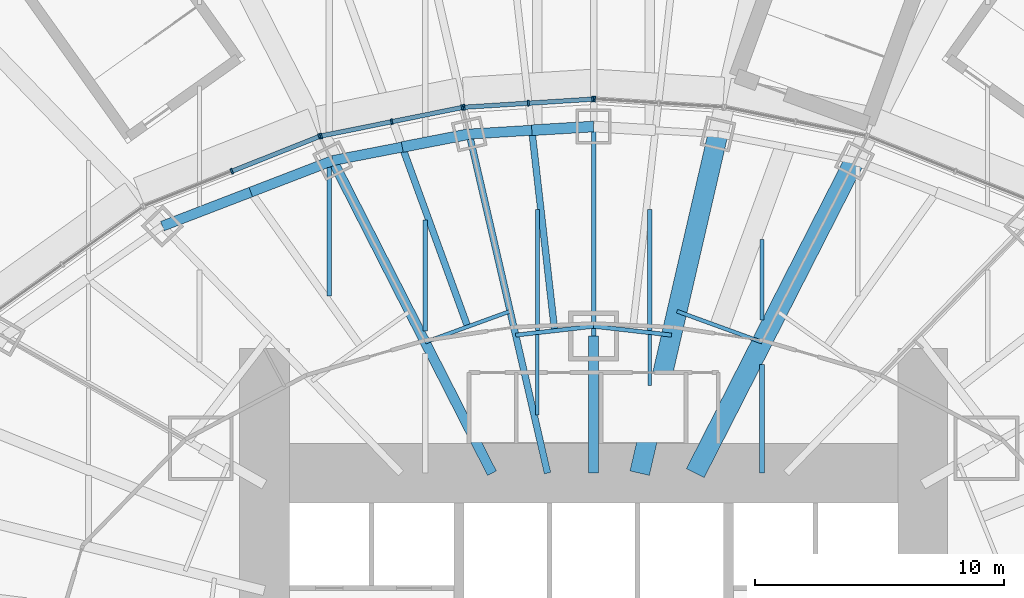
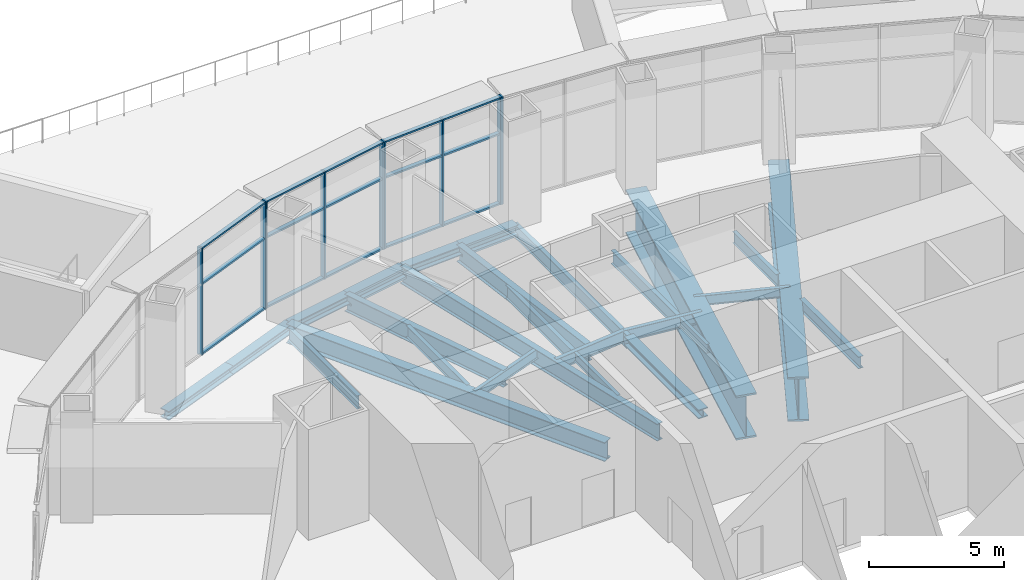
# One storey, part 7 of 25: 26 beams, 24 members, 4 elements without a shape of their own.
"""IFC4 building model written with IfcOpenShell, lengths in metres."""

from ifc_helpers import new_model, si_unit, direction, frame, origin, origin_2d, place, context, subcontext, project, spatial, rectangle, i_section, extrude, material, material_profile, profile_set, type_object, element, aggregate, save


model = new_model("IFC4")

# Units and contexts
model_context = context("Model", 3, precision=1e-05, world=origin(), true_north=direction((0.0, 1.0)))
body_context = subcontext(model_context, "Body", "Model", "MODEL_VIEW")
ifc_project = project(units=[si_unit("LENGTHUNIT", "METRE"), si_unit("AREAUNIT", "SQUARE_METRE"), si_unit("VOLUMEUNIT", "CUBIC_METRE"), si_unit("PLANEANGLEUNIT", "RADIAN"), si_unit("MASSUNIT", "GRAM", prefix="KILO")], contexts=[model_context])

# Site, building, storey
site_placement = place(None, origin())
site = spatial("IfcSite", under=ifc_project, at=site_placement, CompositionType="ELEMENT")
building_placement = place(site_placement, origin())
building = spatial("IfcBuilding", under=site, at=building_placement, Name="Lantaw Convention Tower", CompositionType="ELEMENT")
storey_placement = place(building_placement, frame((0.0, 0.0, 32.0)))
storey = spatial("IfcBuildingStorey", under=building, at=storey_placement, Name="L05", CompositionType="ELEMENT", Elevation=32.0)

# Beams
ifc_material_1 = material(Name="Steel ASTM A992", Category="steel")
ifc_material_profile_1 = material_profile(ifc_material_1, i_section(OverallWidth=0.40380859375, OverallDepth=0.406494140625, WebThickness=0.027099609375, FlangeThickness=0.043701171875, FilletRadius=0.01513671875, at=origin_2d()), Name="W14X233")
ifc_profile_set_1 = profile_set([ifc_material_profile_1], Name="Steel ASTM A992")
beam_type_1 = type_object("IfcBeamType", Name="Beam E W14X233", PredefinedType="SPANDREL", material=ifc_profile_set_1)
beam_1_placement = place(storey_placement, frame((-2.47802734375, 21.75, -0.4033203125), z_axis=(-0.998172405641, -0.060430527186, 0.0), x_axis=(0.060430527186, -0.998172405641, 0.0)))
element("IfcBeam", 1, at=beam_1_placement, inside=storey, type_object=beam_type_1, Name="Edge beam 7", PredefinedType="SPANDREL", context=body_context, shape_type="SweptSolid", body=[
    extrude(i_section(OverallWidth=0.40380859375, OverallDepth=0.406494140625, WebThickness=0.027099609375, FlangeThickness=0.043701171875, FilletRadius=0.01513671875, at=origin_2d()), origin(), (0.0, 0.0, 1.0), 2.512939453125),
])
beam_2_placement = place(storey_placement, frame((-7.671142578125, 21.076416015625, -0.4033203125), z_axis=(-0.98163593748, -0.190763954266, 0.0), x_axis=(0.190763954266, -0.98163593748, 0.0)))
element("IfcBeam", 2, at=beam_2_placement, inside=storey, type_object=beam_type_1, Name="Edge beam 8", PredefinedType="SPANDREL", context=body_context, shape_type="SweptSolid", body=[
    extrude(i_section(OverallWidth=0.40380859375, OverallDepth=0.406494140625, WebThickness=0.027099609375, FlangeThickness=0.043701171875, FilletRadius=0.01513671875, at=origin_2d()), origin(), (0.0, 0.0, 1.0), 2.84375),
])
beam_3_placement = place(storey_placement, frame((-10.462646484375, 20.533935546875, -0.4033203125), z_axis=(-0.933241815012, -0.359248820058, 0.0), x_axis=(0.359248820058, -0.933241815012, 0.0)))
element("IfcBeam", 3, at=beam_3_placement, inside=storey, type_object=beam_type_1, Name="Edge beam 9", PredefinedType="SPANDREL", context=body_context, shape_type="SweptSolid", body=[
    extrude(i_section(OverallWidth=0.40380859375, OverallDepth=0.406494140625, WebThickness=0.027099609375, FlangeThickness=0.043701171875, FilletRadius=0.01513671875, at=origin_2d()), origin(), (0.0, 0.0, 1.0), 3.517578125),
])
beam_4_placement = place(storey_placement, frame((-13.745361328125, 19.270263671875, -0.4033203125), z_axis=(-0.933224646415, -0.359293416754, 0.0), x_axis=(0.359293416754, -0.933224646415, 0.0)))
element("IfcBeam", 4, at=beam_4_placement, inside=storey, type_object=beam_type_1, Name="Edge beam 9", PredefinedType="SPANDREL", context=body_context, shape_type="SweptSolid", body=[
    extrude(i_section(OverallWidth=0.40380859375, OverallDepth=0.406494140625, WebThickness=0.027099609375, FlangeThickness=0.043701171875, FilletRadius=0.01513671875, at=origin_2d()), origin(), (0.0, 0.0, 1.0), 3.799072265625),
])
ifc_material_profile_2 = material_profile(ifc_material_1, i_section(OverallWidth=0.431884765625, OverallDepth=0.497802734375, WebThickness=0.0556640625, FlangeThickness=0.0888671875, FilletRadius=0.01513671875, at=origin_2d()), Name="W14X500")
ifc_profile_set_2 = profile_set([ifc_material_profile_2], Name="Steel ASTM A992")
beam_type_2 = type_object("IfcBeamType", Name="Beam E W14X500", PredefinedType="SPANDREL", material=ifc_profile_set_2)
beam_5_placement = place(storey_placement, frame((0.0, 21.89990234375, -0.448974609375), z_axis=(-0.998175328335, -0.060382231685, 0.0), x_axis=(0.060382231685, -0.998175328335, 0.0)))
element("IfcBeam", 5, at=beam_5_placement, inside=storey, type_object=beam_type_2, Name="Edge beam 7", PredefinedType="SPANDREL", context=body_context, shape_type="SweptSolid", body=[
    extrude(i_section(OverallWidth=0.431884765625, OverallDepth=0.497802734375, WebThickness=0.0556640625, FlangeThickness=0.0888671875, FilletRadius=0.01513671875, at=origin_2d()), origin(), (0.0, 0.0, 1.0), 2.482666015625),
])
beam_6_placement = place(storey_placement, frame((-4.986328125, 21.59814453125, -0.448974609375), z_axis=(-0.981637218105, -0.190757364289, 0.0), x_axis=(0.190757364289, -0.981637218105, 0.0)))
element("IfcBeam", 6, at=beam_6_placement, inside=storey, type_object=beam_type_2, Name="Edge beam 8", PredefinedType="SPANDREL", context=body_context, shape_type="SweptSolid", body=[
    extrude(i_section(OverallWidth=0.431884765625, OverallDepth=0.497802734375, WebThickness=0.0556640625, FlangeThickness=0.0888671875, FilletRadius=0.01513671875, at=origin_2d()), origin(), (0.0, 0.0, 1.0), 2.735107421875),
])
ifc_material_2 = material(Name="Steel ASTM A572 Grade 50", Category="steel")
ifc_material_profile_3 = material_profile(ifc_material_2, i_section(OverallWidth=0.800048828125, OverallDepth=2.0, WebThickness=0.030029296875, FlangeThickness=0.080078125, at=origin_2d()), Name="PG2000X800X30X80")
ifc_profile_set_3 = profile_set([ifc_material_profile_3], Name="Steel ASTM A572 Grade 50")
beam_type_3 = type_object("IfcBeamType", Name="Beam G PG2000X800X30X80", PredefinedType="BEAM", material=ifc_profile_set_3)
beam_7_placement = place(storey_placement, frame((4.076171875, 8.0, -1.199951171875), z_axis=(0.453997016122, 0.891003203896, 0.0), x_axis=(-0.891003203896, 0.453997016122, 0.0)))
element("IfcBeam", 7, at=beam_7_placement, inside=storey, type_object=beam_type_3, Name="Floor girder on ray 5", PredefinedType="BEAM", context=body_context, shape_type="SweptSolid", body=[
    extrude(i_section(OverallWidth=0.800048828125, OverallDepth=2.0, WebThickness=0.030029296875, FlangeThickness=0.080078125, at=origin_2d()), origin(), (0.0, 0.0, 1.0), 14.067138671875),
])
beam_8_placement = place(storey_placement, frame((1.846923828125, 8.0, -1.199951171875), z_axis=(0.224952773175, 0.97436966796, 0.0), x_axis=(-0.97436966796, 0.224952773175, 0.0)))
element("IfcBeam", 8, at=beam_8_placement, inside=storey, type_object=beam_type_3, Name="Floor girder on ray 6", PredefinedType="BEAM", context=body_context, shape_type="SweptSolid", body=[
    extrude(i_section(OverallWidth=0.800048828125, OverallDepth=2.0, WebThickness=0.030029296875, FlangeThickness=0.080078125, at=origin_2d()), origin(), (0.0, 0.0, 1.0), 13.955810546875),
])
ifc_material_profile_4 = material_profile(ifc_material_1, i_section(OverallWidth=0.177978515625, OverallDepth=0.599365234375, WebThickness=0.010009765625, FlangeThickness=0.012939453125, FilletRadius=0.012939453125, at=origin_2d()), Name="W24X55")
ifc_profile_set_4 = profile_set([ifc_material_profile_4], Name="Steel ASTM A992")
beam_type_4 = type_object("IfcBeamType", Name="Beam G W24X55", PredefinedType="BEAM", material=ifc_profile_set_4)
beam_9_placement = place(storey_placement, frame((0.0, 13.5, -0.499755859375), z_axis=(0.0, 1.0, 0.0), x_axis=(-1.0, 0.0, 0.0)))
element("IfcBeam", 9, at=beam_9_placement, inside=storey, type_object=beam_type_4, Name="Floor girder on ray 7", PredefinedType="BEAM", context=body_context, shape_type="SweptSolid", body=[
    extrude(i_section(OverallWidth=0.177978515625, OverallDepth=0.599365234375, WebThickness=0.010009765625, FlangeThickness=0.012939453125, FilletRadius=0.012939453125, at=origin_2d()), origin(), (0.0, 0.0, 1.0), 8.39990234375),
])
ifc_material_profile_5 = material_profile(ifc_material_1, i_section(OverallWidth=0.2666015625, OverallDepth=0.7568359375, WebThickness=0.013916015625, FlangeThickness=0.019287109375, FilletRadius=0.0126953125, at=origin_2d()), Name="W30X108")
ifc_profile_set_5 = profile_set([ifc_material_profile_5], Name="Steel ASTM A992")
beam_type_5 = type_object("IfcBeamType", Name="Beam G W30X108", PredefinedType="BEAM", material=ifc_profile_set_5)
beam_10_placement = place(storey_placement, frame((-1.5625, 13.713134765625, -0.578369140625), z_axis=(-0.113183957156, 0.993574049501, 0.0), x_axis=(-0.993574049501, -0.113183957156, 0.0)))
element("IfcBeam", 10, at=beam_10_placement, inside=storey, type_object=beam_type_5, Name="Floor girder on bisector 7", PredefinedType="BEAM", context=body_context, shape_type="SweptSolid", body=[
    extrude(i_section(OverallWidth=0.2666015625, OverallDepth=0.7568359375, WebThickness=0.013916015625, FlangeThickness=0.019287109375, FilletRadius=0.0126953125, at=origin_2d()), origin(), (0.0, 0.0, 1.0), 8.0888671875),
])
ifc_material_profile_6 = material_profile(ifc_material_1, i_section(OverallWidth=0.2666015625, OverallDepth=0.76953125, WebThickness=0.015625, FlangeThickness=0.025390625, FilletRadius=0.0126953125, at=origin_2d()), Name="W30X132")
ifc_profile_set_6 = profile_set([ifc_material_profile_6], Name="Steel ASTM A992")
beam_type_6 = type_object("IfcBeamType", Name="Beam G W30X132", PredefinedType="BEAM", material=ifc_profile_set_6)
beam_11_placement = place(storey_placement, frame((-1.846923828125, 8.0, -0.584716796875), z_axis=(-0.224952773175, 0.97436966796, 0.0), x_axis=(-0.97436966796, -0.224952773175, 0.0)))
element("IfcBeam", 11, at=beam_11_placement, inside=storey, type_object=beam_type_6, Name="Floor girder on ray 8", PredefinedType="BEAM", context=body_context, shape_type="SweptSolid", body=[
    extrude(i_section(OverallWidth=0.2666015625, OverallDepth=0.76953125, WebThickness=0.015625, FlangeThickness=0.025390625, FilletRadius=0.0126953125, at=origin_2d()), origin(), (0.0, 0.0, 1.0), 13.955810546875),
])
beam_12_placement = place(storey_placement, frame((-5.04931640625, 13.873046875, -0.584716796875), z_axis=(-0.342021781151, 0.939692024664, 0.0), x_axis=(-0.939692024664, -0.342021781151, 0.0)))
element("IfcBeam", 12, at=beam_12_placement, inside=storey, type_object=beam_type_6, Name="Floor girder on bisector 8", PredefinedType="BEAM", context=body_context, shape_type="SweptSolid", body=[
    extrude(i_section(OverallWidth=0.2666015625, OverallDepth=0.76953125, WebThickness=0.015625, FlangeThickness=0.025390625, FilletRadius=0.0126953125, at=origin_2d()), origin(), (0.0, 0.0, 1.0), 7.665771484375),
])
ifc_material_profile_7 = material_profile(ifc_material_1, i_section(OverallWidth=0.398681640625, OverallDepth=0.85595703125, WebThickness=0.01806640625, FlangeThickness=0.029296875, FilletRadius=0.016357421875, at=origin_2d()), Name="W33X201")
ifc_profile_set_7 = profile_set([ifc_material_profile_7], Name="Steel ASTM A992")
beam_type_7 = type_object("IfcBeamType", Name="Beam G W33X201", PredefinedType="BEAM", material=ifc_profile_set_7)
beam_13_placement = place(storey_placement, frame((-4.076171875, 8.0, -0.6279296875), z_axis=(-0.453997016122, 0.891003203896, 0.0), x_axis=(-0.891003203896, -0.453997016122, 0.0)))
element("IfcBeam", 13, at=beam_13_placement, inside=storey, type_object=beam_type_7, Name="Floor girder on ray 9", PredefinedType="BEAM", context=body_context, shape_type="SweptSolid", body=[
    extrude(i_section(OverallWidth=0.398681640625, OverallDepth=0.85595703125, WebThickness=0.01806640625, FlangeThickness=0.029296875, FilletRadius=0.016357421875, at=origin_2d()), origin(), (0.0, 0.0, 1.0), 14.067138671875),
])
ifc_material_profile_8 = material_profile(ifc_material_1, i_section(OverallWidth=0.40380859375, OverallDepth=0.406494140625, WebThickness=0.027099609375, FlangeThickness=0.043701171875, FilletRadius=0.01513671875, at=origin_2d()), Name="W14X233")
ifc_profile_set_8 = profile_set([ifc_material_profile_8], Name="Steel ASTM A992")
beam_type_8 = type_object("IfcBeamType", Name="Beam GM W14X233", PredefinedType="BEAM", material=ifc_profile_set_8)
beam_14_placement = place(storey_placement, frame((0.0, 8.0, -0.4033203125), z_axis=(0.0, 1.0, 0.0), x_axis=(-1.0, 0.0, 0.0)))
element("IfcBeam", 14, at=beam_14_placement, inside=storey, type_object=beam_type_8, Name="Core link beam on ray 7", PredefinedType="BEAM", context=body_context, shape_type="SweptSolid", body=[
    extrude(i_section(OverallWidth=0.40380859375, OverallDepth=0.406494140625, WebThickness=0.027099609375, FlangeThickness=0.043701171875, FilletRadius=0.01513671875, at=origin_2d()), origin(), (0.0, 0.0, 1.0), 5.5),
])
ifc_material_profile_9 = material_profile(ifc_material_1, i_section(OverallWidth=0.15234375, OverallDepth=0.449462890625, WebThickness=0.007568359375, FlangeThickness=0.0107421875, FilletRadius=0.01025390625, at=origin_2d()), Name="W18X35")
ifc_profile_set_9 = profile_set([ifc_material_profile_9], Name="Steel ASTM A992")
beam_type_9 = type_object("IfcBeamType", Name="Beam HC W18X35", PredefinedType="BEAM", material=ifc_profile_set_9)
for number, where, z_axis, x_axis, name in (
    (15, (6.752685546875, 13.253173828125, -0.4248046875), (-0.939689171859, 0.342029619025, 0.0), (-0.342029619025, -0.939689171859, 0.0), "Collar beam on bisector 5"),
    (16, (-3.345947265625, 14.4931640625, -0.4248046875), (-0.939689171859, -0.342029619025, 0.0), (0.342029619025, -0.939689171859, 0.0), "Collar beam on bisector 8"),
):
    element("IfcBeam", number, at=place(storey_placement, frame(where, z_axis=z_axis, x_axis=x_axis)), inside=storey, type_object=beam_type_9, Name=name, PredefinedType="BEAM", context=body_context, shape_type="SweptSolid", body=[
        extrude(i_section(OverallWidth=0.15234375, OverallDepth=0.449462890625, WebThickness=0.007568359375, FlangeThickness=0.0107421875, FilletRadius=0.01025390625, at=origin_2d()), origin(), (0.0, 0.0, 1.0), 3.62548828125),
    ])
ifc_material_profile_10 = material_profile(ifc_material_1, i_section(OverallWidth=0.165771484375, OverallDepth=0.5283203125, WebThickness=0.009765625, FlangeThickness=0.013671875, FilletRadius=0.012939453125, at=origin_2d()), Name="W21X50")
ifc_profile_set_10 = profile_set([ifc_material_profile_10], Name="Steel ASTM A992")
beam_type_10 = type_object("IfcBeamType", Name="Beam HC W21X50", PredefinedType="BEAM", material=ifc_profile_set_10)
for number, where, z_axis, x_axis, name in (
    (17, (3.124755859375, 13.534912109375, -0.464111328125), (-0.99356540907, 0.113259780595, 0.0), (-0.113259780595, -0.99356540907, 0.0), "Collar beam on bisector 6"),
    (18, (0.0, 13.89111328125, -0.464111328125), (-0.99356540907, -0.113259780595, 0.0), (0.113259780595, -0.99356540907, 0.0), "Collar beam on bisector 7"),
):
    element("IfcBeam", number, at=place(storey_placement, frame(where, z_axis=z_axis, x_axis=x_axis)), inside=storey, type_object=beam_type_10, Name=name, PredefinedType="BEAM", context=body_context, shape_type="SweptSolid", body=[
        extrude(i_section(OverallWidth=0.165771484375, OverallDepth=0.5283203125, WebThickness=0.009765625, FlangeThickness=0.013671875, FilletRadius=0.012939453125, at=origin_2d()), origin(), (0.0, 0.0, 1.0), 3.14501953125),
    ])
ifc_material_profile_11 = material_profile(ifc_material_1, i_section(OverallWidth=0.140380859375, OverallDepth=0.40380859375, WebThickness=0.007080078125, FlangeThickness=0.01123046875, FilletRadius=0.01025390625, at=origin_2d()), Name="W16X31")
ifc_profile_set_11 = profile_set([ifc_material_profile_11], Name="Steel ASTM A992")
beam_type_11 = type_object("IfcBeamType", Name="Beam J W16X31", PredefinedType="JOIST", material=ifc_profile_set_11)
beam_15_placement = place(storey_placement, frame((-2.25, 10.338623046875, -0.40185546875), z_axis=(0.0, 1.0, 0.0), x_axis=(-1.0, 0.0, 0.0)))
element("IfcBeam", 19, at=beam_15_placement, inside=storey, type_object=beam_type_11, Name="Floor joist", PredefinedType="JOIST", context=body_context, shape_type="SweptSolid", body=[
    extrude(i_section(OverallWidth=0.140380859375, OverallDepth=0.40380859375, WebThickness=0.007080078125, FlangeThickness=0.01123046875, FilletRadius=0.01025390625, at=origin_2d()), origin(), (0.0, 0.0, 1.0), 3.212646484375),
])
beam_16_placement = place(storey_placement, frame((2.25, 11.52392578125, -0.40185546875), z_axis=(0.0, 1.0, 0.0), x_axis=(-1.0, 0.0, 0.0)))
element("IfcBeam", 20, at=beam_16_placement, inside=storey, type_object=beam_type_11, Name="Floor joist", PredefinedType="JOIST", context=body_context, shape_type="SweptSolid", body=[
    extrude(i_section(OverallWidth=0.140380859375, OverallDepth=0.40380859375, WebThickness=0.007080078125, FlangeThickness=0.01123046875, FilletRadius=0.01025390625, at=origin_2d()), origin(), (0.0, 0.0, 1.0), 2.02734375),
])
ifc_material_profile_12 = material_profile(ifc_material_1, i_section(OverallWidth=0.1650390625, OverallDepth=0.52587890625, WebThickness=0.0087890625, FlangeThickness=0.011474609375, FilletRadius=0.0126953125, at=origin_2d()), Name="W21X44")
ifc_profile_set_12 = profile_set([ifc_material_profile_12], Name="Steel ASTM A992")
beam_type_12 = type_object("IfcBeamType", Name="Beam J W21X44", PredefinedType="JOIST", material=ifc_profile_set_12)
beam_17_placement = place(storey_placement, frame((-6.75, 13.693359375, -0.462890625), z_axis=(0.0, 1.0, 0.0), x_axis=(-1.0, 0.0, 0.0)))
element("IfcBeam", 21, at=beam_17_placement, inside=storey, type_object=beam_type_12, Name="Floor joist", PredefinedType="JOIST", context=body_context, shape_type="SweptSolid", body=[
    extrude(i_section(OverallWidth=0.1650390625, OverallDepth=0.52587890625, WebThickness=0.0087890625, FlangeThickness=0.011474609375, FilletRadius=0.0126953125, at=origin_2d()), origin(), (0.0, 0.0, 1.0), 4.462158203125),
])
beam_18_placement = place(storey_placement, frame((6.75, 14.13525390625, -0.462890625), z_axis=(0.0, 1.0, 0.0), x_axis=(-1.0, 0.0, 0.0)))
element("IfcBeam", 22, at=beam_18_placement, inside=storey, type_object=beam_type_12, Name="Floor joist", PredefinedType="JOIST", context=body_context, shape_type="SweptSolid", body=[
    extrude(i_section(OverallWidth=0.1650390625, OverallDepth=0.52587890625, WebThickness=0.0087890625, FlangeThickness=0.011474609375, FilletRadius=0.0126953125, at=origin_2d()), origin(), (0.0, 0.0, 1.0), 3.24072265625),
])
ifc_material_profile_13 = material_profile(ifc_material_1, i_section(OverallWidth=0.209228515625, OverallDepth=0.533447265625, WebThickness=0.01025390625, FlangeThickness=0.015625, FilletRadius=0.012939453125, at=origin_2d()), Name="W21X62")
ifc_profile_set_13 = profile_set([ifc_material_profile_13], Name="Steel ASTM A992")
beam_type_13 = type_object("IfcBeamType", Name="Beam J W21X62", PredefinedType="JOIST", material=ifc_profile_set_13)
beam_19_placement = place(storey_placement, frame((6.75, 8.0, -0.466796875), z_axis=(0.0, 1.0, 0.0), x_axis=(-1.0, 0.0, 0.0)))
element("IfcBeam", 23, at=beam_19_placement, inside=storey, type_object=beam_type_13, Name="Floor joist", PredefinedType="JOIST", context=body_context, shape_type="SweptSolid", body=[
    extrude(i_section(OverallWidth=0.209228515625, OverallDepth=0.533447265625, WebThickness=0.01025390625, FlangeThickness=0.015625, FilletRadius=0.012939453125, at=origin_2d()), origin(), (0.0, 0.0, 1.0), 4.366455078125),
])
ifc_material_profile_14 = material_profile(ifc_material_1, i_section(OverallWidth=0.177978515625, OverallDepth=0.599365234375, WebThickness=0.010009765625, FlangeThickness=0.012939453125, FilletRadius=0.012939453125, at=origin_2d()), Name="W24X55")
ifc_profile_set_14 = profile_set([ifc_material_profile_14], Name="Steel ASTM A992")
beam_type_14 = type_object("IfcBeamType", Name="Beam J W24X55", PredefinedType="JOIST", material=ifc_profile_set_14)
beam_20_placement = place(storey_placement, frame((-10.60009765625, 15.112060546875, -0.499755859375), z_axis=(0.0, 1.0, 0.0), x_axis=(-1.0, 0.0, 0.0)))
element("IfcBeam", 24, at=beam_20_placement, inside=storey, type_object=beam_type_14, Name="Floor joist", PredefinedType="JOIST", context=body_context, shape_type="SweptSolid", body=[
    extrude(i_section(OverallWidth=0.177978515625, OverallDepth=0.599365234375, WebThickness=0.010009765625, FlangeThickness=0.012939453125, FilletRadius=0.012939453125, at=origin_2d()), origin(), (0.0, 0.0, 1.0), 5.152587890625),
])
for number, where, z_axis, x_axis, name in (
    (25, (-2.25, 13.71826171875, -0.499755859375), (0.0, 1.0, 0.0), (-1.0, 0.0, 0.0), "Floor joist"),
    (26, (2.25, 13.71826171875, -0.499755859375), (0.0, 1.0, 0.0), (-1.0, 0.0, 0.0), "Floor joist"),
):
    element("IfcBeam", number, at=place(storey_placement, frame(where, z_axis=z_axis, x_axis=x_axis)), inside=storey, type_object=beam_type_14, Name=name, PredefinedType="JOIST", context=body_context, shape_type="SweptSolid", body=[
        extrude(i_section(OverallWidth=0.177978515625, OverallDepth=0.599365234375, WebThickness=0.010009765625, FlangeThickness=0.012939453125, FilletRadius=0.012939453125, at=origin_2d()), origin(), (0.0, 0.0, 1.0), 4.851806640625),
    ])

# Curtain wall, member
ifc_material_3 = material(Name="Aluminium framed curtain wall", Category="aluminium")
curtain_wall_type = type_object("IfcCurtainWallType", Name="Sky lobby curtain wall L05, pale aluminium", PredefinedType="USERDEFINED", material=ifc_material_3)
curtain_wall_1_placement = place(storey_placement, origin())
curtain_wall_1 = element("IfcCurtainWall", 27, at=curtain_wall_1_placement, inside=storey, type_object=curtain_wall_type, Name="Sky lobby curtain wall L05, pale aluminium L05", ObjectType="STICK CURTAIN WALL", PredefinedType="USERDEFINED")
ifc_material_4 = material(Name="Aluminium 6063-T6", Category="aluminium")
ifc_material_profile_15 = material_profile(ifc_material_4, rectangle(XDim=0.22509765625, YDim=0.074951171875, at=origin_2d()), Name="CW-HL mullion 75x225")
ifc_profile_set_15 = profile_set([ifc_material_profile_15], Name="Aluminium 6063-T6")
member_type_1 = type_object("IfcMemberType", Name="CW-HL mullion 75x225", PredefinedType="MULLION", material=ifc_profile_set_15)
member_1_placement = place(storey_placement, frame((0.037353515625, 22.99755859375, 0.0), z_axis=(0.0, 0.0, 1.0), x_axis=(-0.062958373078, -0.998016153807, 0.0)))
member_1 = element("IfcMember", 28, at=member_1_placement, type_object=member_type_1, Name="CW-HL mullion 3", PredefinedType="MULLION", context=body_context, shape_type="SweptSolid", body=[
    extrude(rectangle(XDim=0.22509765625, YDim=0.074951171875, at=origin_2d()), origin(), (0.0, 0.0, 1.0), 4.85009765625),
])
aggregate(curtain_wall_1, [member_1])

# Curtain wall, members
curtain_wall_2_placement = place(storey_placement, origin())
curtain_wall_2 = element("IfcCurtainWall", 29, at=curtain_wall_2_placement, inside=storey, type_object=curtain_wall_type, Name="Sky lobby curtain wall L05, pale aluminium L05", ObjectType="STICK CURTAIN WALL", PredefinedType="USERDEFINED")
member_2_placement = place(storey_placement, frame((-0.037353515625, 22.99755859375, 0.0), z_axis=(0.0, 0.0, 1.0), x_axis=(0.062958373078, -0.998016153807, 0.0)))
member_2 = element("IfcMember", 30, at=member_2_placement, type_object=member_type_1, Name="CW-HL mullion 1", PredefinedType="MULLION", context=body_context, shape_type="SweptSolid", body=[
    extrude(rectangle(XDim=0.22509765625, YDim=0.074951171875, at=origin_2d()), origin(), (0.0, 0.0, 1.0), 4.85009765625),
])
member_3_placement = place(storey_placement, frame((-2.616943359375, 22.8349609375, 0.0), z_axis=(0.0, 0.0, 1.0), x_axis=(0.062958373078, -0.998016153807, 0.0)))
member_3 = element("IfcMember", 31, at=member_3_placement, type_object=member_type_1, Name="CW-HL mullion 2", PredefinedType="MULLION", context=body_context, shape_type="SweptSolid", body=[
    extrude(rectangle(XDim=0.22509765625, YDim=0.074951171875, at=origin_2d()), origin(), (0.0, 0.0, 1.0), 4.85009765625),
])
member_4_placement = place(storey_placement, frame((-5.1962890625, 22.672119140625, 0.0), z_axis=(0.0, 0.0, 1.0), x_axis=(0.062958373078, -0.998016153807, 0.0)))
member_4 = element("IfcMember", 32, at=member_4_placement, type_object=member_type_1, Name="CW-HL mullion 3", PredefinedType="MULLION", context=body_context, shape_type="SweptSolid", body=[
    extrude(rectangle(XDim=0.22509765625, YDim=0.074951171875, at=origin_2d()), origin(), (0.0, 0.0, 1.0), 4.85009765625),
])

curtain_wall_3_placement = place(storey_placement, origin())
curtain_wall_3 = element("IfcCurtainWall", 33, at=curtain_wall_3_placement, inside=storey, type_object=curtain_wall_type, Name="Sky lobby curtain wall L05, pale aluminium L05", ObjectType="STICK CURTAIN WALL", PredefinedType="USERDEFINED")
member_5_placement = place(storey_placement, frame((-5.2705078125, 22.662353515625, 0.0), z_axis=(0.0, 0.0, 1.0), x_axis=(0.197789067813, -0.980244604501, 0.0)))
member_5 = element("IfcMember", 34, at=member_5_placement, type_object=member_type_1, Name="CW-HL mullion 1", PredefinedType="MULLION", context=body_context, shape_type="SweptSolid", body=[
    extrude(rectangle(XDim=0.22509765625, YDim=0.074951171875, at=origin_2d()), origin(), (0.0, 0.0, 1.0), 4.85009765625),
])
member_6_placement = place(storey_placement, frame((-8.097900390625, 22.092041015625, 0.0), z_axis=(0.0, 0.0, 1.0), x_axis=(0.197789067813, -0.980244604501, 0.0)))
member_6 = element("IfcMember", 35, at=member_6_placement, type_object=member_type_1, Name="CW-HL mullion 2", PredefinedType="MULLION", context=body_context, shape_type="SweptSolid", body=[
    extrude(rectangle(XDim=0.22509765625, YDim=0.074951171875, at=origin_2d()), origin(), (0.0, 0.0, 1.0), 4.85009765625),
])
member_7_placement = place(storey_placement, frame((-10.92529296875, 21.521484375, 0.0), z_axis=(0.0, 0.0, 1.0), x_axis=(0.197789067813, -0.980244604501, 0.0)))
member_7 = element("IfcMember", 36, at=member_7_placement, type_object=member_type_1, Name="CW-HL mullion 3", PredefinedType="MULLION", context=body_context, shape_type="SweptSolid", body=[
    extrude(rectangle(XDim=0.22509765625, YDim=0.074951171875, at=origin_2d()), origin(), (0.0, 0.0, 1.0), 4.85009765625),
])

curtain_wall_4_placement = place(storey_placement, origin())
curtain_wall_4 = element("IfcCurtainWall", 37, at=curtain_wall_4_placement, inside=storey, type_object=curtain_wall_type, Name="Sky lobby curtain wall L05, pale aluminium L05", ObjectType="STICK CURTAIN WALL", PredefinedType="USERDEFINED")
member_8_placement = place(storey_placement, frame((-10.996826171875, 21.500244140625, 0.0), z_axis=(0.0, 0.0, 1.0), x_axis=(0.369171840425, -0.929361152748, 0.0)))
member_8 = element("IfcMember", 38, at=member_8_placement, type_object=member_type_1, Name="CW-HL mullion 1", PredefinedType="MULLION", context=body_context, shape_type="SweptSolid", body=[
    extrude(rectangle(XDim=0.22509765625, YDim=0.074951171875, at=origin_2d()), origin(), (0.0, 0.0, 1.0), 4.85009765625),
])
member_9_placement = place(storey_placement, frame((-14.508544921875, 20.105224609375, 0.0), z_axis=(0.0, 0.0, 1.0), x_axis=(0.369171840425, -0.929361152748, 0.0)))
member_9 = element("IfcMember", 39, at=member_9_placement, type_object=member_type_1, Name="CW-HL mullion 2", PredefinedType="MULLION", context=body_context, shape_type="SweptSolid", body=[
    extrude(rectangle(XDim=0.22509765625, YDim=0.074951171875, at=origin_2d()), origin(), (0.0, 0.0, 1.0), 4.85009765625),
])

# Member
ifc_material_profile_16 = material_profile(ifc_material_4, rectangle(XDim=0.179931640625, YDim=0.074951171875, at=origin_2d()), Name="CW-HL transom 75x180")
ifc_profile_set_16 = profile_set([ifc_material_profile_16], Name="Aluminium 6063-T6")
member_type_2 = type_object("IfcMemberType", Name="CW-HL transom 75x180", PredefinedType="USERDEFINED", material=ifc_profile_set_16)
member_10_placement = place(storey_placement, frame((-0.074951171875, 22.995361328125, 0.03759765625), z_axis=(-0.998010714043, -0.063044545009, 0.0), x_axis=(0.063044545009, -0.998010714043, 0.0)))
member_10 = element("IfcMember", 40, at=member_10_placement, type_object=member_type_2, Name="CW-HL transom 1.1", ObjectType="TRANSOM", PredefinedType="USERDEFINED", context=body_context, shape_type="SweptSolid", body=[
    extrude(rectangle(XDim=0.179931640625, YDim=0.074951171875, at=origin_2d()), origin(), (0.0, 0.0, 1.0), 2.50927734375),
])

member_11_placement = place(storey_placement, frame((-0.074951171875, 22.995361328125, 3.199951171875), z_axis=(-0.998010714043, -0.063044545009, 0.0), x_axis=(0.063044545009, -0.998010714043, 0.0)))
member_11 = element("IfcMember", 41, at=member_11_placement, type_object=member_type_2, Name="CW-HL transom 1.2", ObjectType="TRANSOM", PredefinedType="USERDEFINED", context=body_context, shape_type="SweptSolid", body=[
    extrude(rectangle(XDim=0.179931640625, YDim=0.074951171875, at=origin_2d()), origin(), (0.0, 0.0, 1.0), 2.50927734375),
])

member_12_placement = place(storey_placement, frame((-0.074951171875, 22.995361328125, 4.8125), z_axis=(-0.998010714043, -0.063044545009, 0.0), x_axis=(0.063044545009, -0.998010714043, 0.0)))
member_12 = element("IfcMember", 42, at=member_12_placement, type_object=member_type_2, Name="CW-HL transom 1.3", ObjectType="TRANSOM", PredefinedType="USERDEFINED", context=body_context, shape_type="SweptSolid", body=[
    extrude(rectangle(XDim=0.179931640625, YDim=0.074951171875, at=origin_2d()), origin(), (0.0, 0.0, 1.0), 2.50927734375),
])

member_13_placement = place(storey_placement, frame((-2.654296875, 22.83251953125, 0.03759765625), z_axis=(-0.998017216291, -0.062941528311, 0.0), x_axis=(0.062941528311, -0.998017216291, 0.0)))
member_13 = element("IfcMember", 43, at=member_13_placement, type_object=member_type_2, Name="CW-HL transom 2.1", ObjectType="TRANSOM", PredefinedType="USERDEFINED", context=body_context, shape_type="SweptSolid", body=[
    extrude(rectangle(XDim=0.179931640625, YDim=0.074951171875, at=origin_2d()), origin(), (0.0, 0.0, 1.0), 2.509521484375),
])

member_14_placement = place(storey_placement, frame((-2.654296875, 22.83251953125, 3.199951171875), z_axis=(-0.998017216291, -0.062941528311, 0.0), x_axis=(0.062941528311, -0.998017216291, 0.0)))
member_14 = element("IfcMember", 44, at=member_14_placement, type_object=member_type_2, Name="CW-HL transom 2.2", ObjectType="TRANSOM", PredefinedType="USERDEFINED", context=body_context, shape_type="SweptSolid", body=[
    extrude(rectangle(XDim=0.179931640625, YDim=0.074951171875, at=origin_2d()), origin(), (0.0, 0.0, 1.0), 2.509521484375),
])

member_15_placement = place(storey_placement, frame((-2.654296875, 22.83251953125, 4.8125), z_axis=(-0.998017216291, -0.062941528311, 0.0), x_axis=(0.062941528311, -0.998017216291, 0.0)))
member_15 = element("IfcMember", 45, at=member_15_placement, type_object=member_type_2, Name="CW-HL transom 2.3", ObjectType="TRANSOM", PredefinedType="USERDEFINED", context=body_context, shape_type="SweptSolid", body=[
    extrude(rectangle(XDim=0.179931640625, YDim=0.074951171875, at=origin_2d()), origin(), (0.0, 0.0, 1.0), 2.509521484375),
])

aggregate(curtain_wall_2, [member_2, member_3, member_4, member_10, member_11, member_12, member_13, member_14, member_15])

member_16_placement = place(storey_placement, frame((-5.307373046875, 22.655029296875, 0.03759765625), z_axis=(-0.980241616431, -0.197803876141, 0.0), x_axis=(0.197803876141, -0.980241616431, 0.0)))
member_16 = element("IfcMember", 46, at=member_16_placement, type_object=member_type_2, Name="CW-HL transom 1.1", ObjectType="TRANSOM", PredefinedType="USERDEFINED", context=body_context, shape_type="SweptSolid", body=[
    extrude(rectangle(XDim=0.179931640625, YDim=0.074951171875, at=origin_2d()), origin(), (0.0, 0.0, 1.0), 2.80908203125),
])

member_17_placement = place(storey_placement, frame((-5.307373046875, 22.655029296875, 3.199951171875), z_axis=(-0.980241616431, -0.197803876141, 0.0), x_axis=(0.197803876141, -0.980241616431, 0.0)))
member_17 = element("IfcMember", 47, at=member_17_placement, type_object=member_type_2, Name="CW-HL transom 1.2", ObjectType="TRANSOM", PredefinedType="USERDEFINED", context=body_context, shape_type="SweptSolid", body=[
    extrude(rectangle(XDim=0.179931640625, YDim=0.074951171875, at=origin_2d()), origin(), (0.0, 0.0, 1.0), 2.80908203125),
])

member_18_placement = place(storey_placement, frame((-5.307373046875, 22.655029296875, 4.8125), z_axis=(-0.980241616431, -0.197803876141, 0.0), x_axis=(0.197803876141, -0.980241616431, 0.0)))
member_18 = element("IfcMember", 48, at=member_18_placement, type_object=member_type_2, Name="CW-HL transom 1.3", ObjectType="TRANSOM", PredefinedType="USERDEFINED", context=body_context, shape_type="SweptSolid", body=[
    extrude(rectangle(XDim=0.179931640625, YDim=0.074951171875, at=origin_2d()), origin(), (0.0, 0.0, 1.0), 2.80908203125),
])

member_19_placement = place(storey_placement, frame((-8.134521484375, 22.08447265625, 0.03759765625), z_axis=(-0.980245016413, -0.197787026361, 0.0), x_axis=(0.197787026361, -0.980245016413, 0.0)))
member_19 = element("IfcMember", 49, at=member_19_placement, type_object=member_type_2, Name="CW-HL transom 2.1", ObjectType="TRANSOM", PredefinedType="USERDEFINED", context=body_context, shape_type="SweptSolid", body=[
    extrude(rectangle(XDim=0.179931640625, YDim=0.074951171875, at=origin_2d()), origin(), (0.0, 0.0, 1.0), 2.809326171875),
])

member_20_placement = place(storey_placement, frame((-8.134521484375, 22.08447265625, 3.199951171875), z_axis=(-0.980245016413, -0.197787026361, 0.0), x_axis=(0.197787026361, -0.980245016413, 0.0)))
member_20 = element("IfcMember", 50, at=member_20_placement, type_object=member_type_2, Name="CW-HL transom 2.2", ObjectType="TRANSOM", PredefinedType="USERDEFINED", context=body_context, shape_type="SweptSolid", body=[
    extrude(rectangle(XDim=0.179931640625, YDim=0.074951171875, at=origin_2d()), origin(), (0.0, 0.0, 1.0), 2.809326171875),
])

member_21_placement = place(storey_placement, frame((-8.134521484375, 22.08447265625, 4.8125), z_axis=(-0.980245016413, -0.197787026361, 0.0), x_axis=(0.197787026361, -0.980245016413, 0.0)))
member_21 = element("IfcMember", 51, at=member_21_placement, type_object=member_type_2, Name="CW-HL transom 2.3", ObjectType="TRANSOM", PredefinedType="USERDEFINED", context=body_context, shape_type="SweptSolid", body=[
    extrude(rectangle(XDim=0.179931640625, YDim=0.074951171875, at=origin_2d()), origin(), (0.0, 0.0, 1.0), 2.809326171875),
])

aggregate(curtain_wall_3, [member_5, member_6, member_7, member_16, member_17, member_18, member_19, member_20, member_21])

member_22_placement = place(storey_placement, frame((-11.03173828125, 21.486328125, 0.03759765625), z_axis=(-0.929365098875, -0.369161906206, 0.0), x_axis=(0.369161906206, -0.929365098875, 0.0)))
member_22 = element("IfcMember", 52, at=member_22_placement, type_object=member_type_2, Name="CW-HL transom 1.1", ObjectType="TRANSOM", PredefinedType="USERDEFINED", context=body_context, shape_type="SweptSolid", body=[
    extrude(rectangle(XDim=0.179931640625, YDim=0.074951171875, at=origin_2d()), origin(), (0.0, 0.0, 1.0), 3.703369140625),
])

member_23_placement = place(storey_placement, frame((-11.03173828125, 21.486328125, 3.199951171875), z_axis=(-0.929365098875, -0.369161906206, 0.0), x_axis=(0.369161906206, -0.929365098875, 0.0)))
member_23 = element("IfcMember", 53, at=member_23_placement, type_object=member_type_2, Name="CW-HL transom 1.2", ObjectType="TRANSOM", PredefinedType="USERDEFINED", context=body_context, shape_type="SweptSolid", body=[
    extrude(rectangle(XDim=0.179931640625, YDim=0.074951171875, at=origin_2d()), origin(), (0.0, 0.0, 1.0), 3.703369140625),
])

member_24_placement = place(storey_placement, frame((-11.03173828125, 21.486328125, 4.8125), z_axis=(-0.929365098875, -0.369161906206, 0.0), x_axis=(0.369161906206, -0.929365098875, 0.0)))
member_24 = element("IfcMember", 54, at=member_24_placement, type_object=member_type_2, Name="CW-HL transom 1.3", ObjectType="TRANSOM", PredefinedType="USERDEFINED", context=body_context, shape_type="SweptSolid", body=[
    extrude(rectangle(XDim=0.179931640625, YDim=0.074951171875, at=origin_2d()), origin(), (0.0, 0.0, 1.0), 3.703369140625),
])

aggregate(curtain_wall_4, [member_8, member_9, member_22, member_23, member_24])

save(model, "model.ifc")
